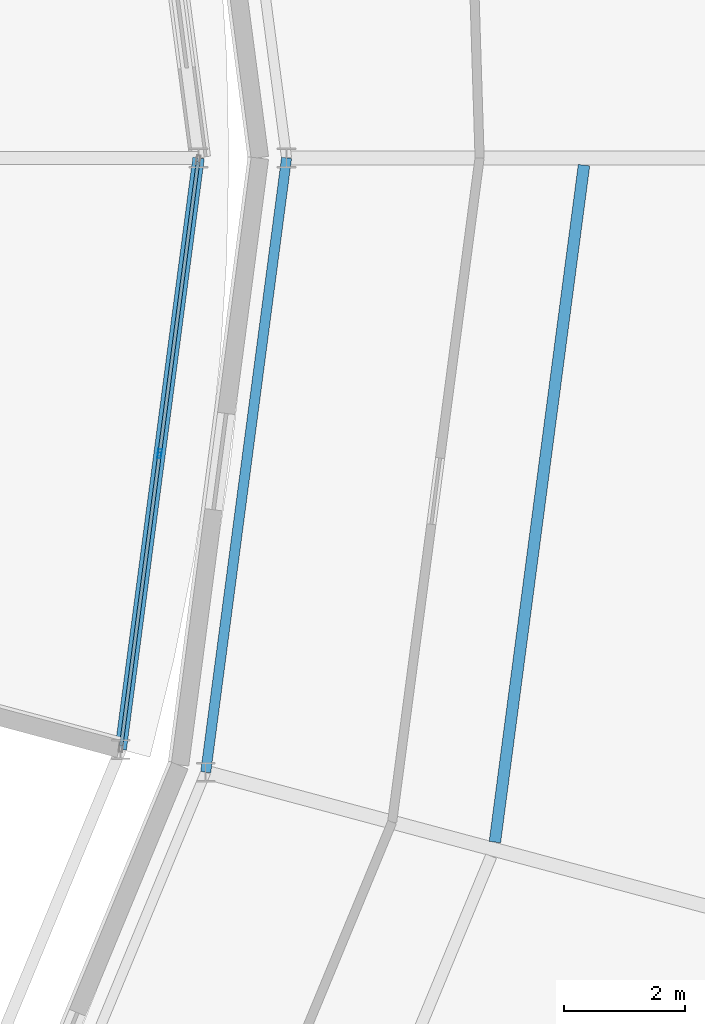
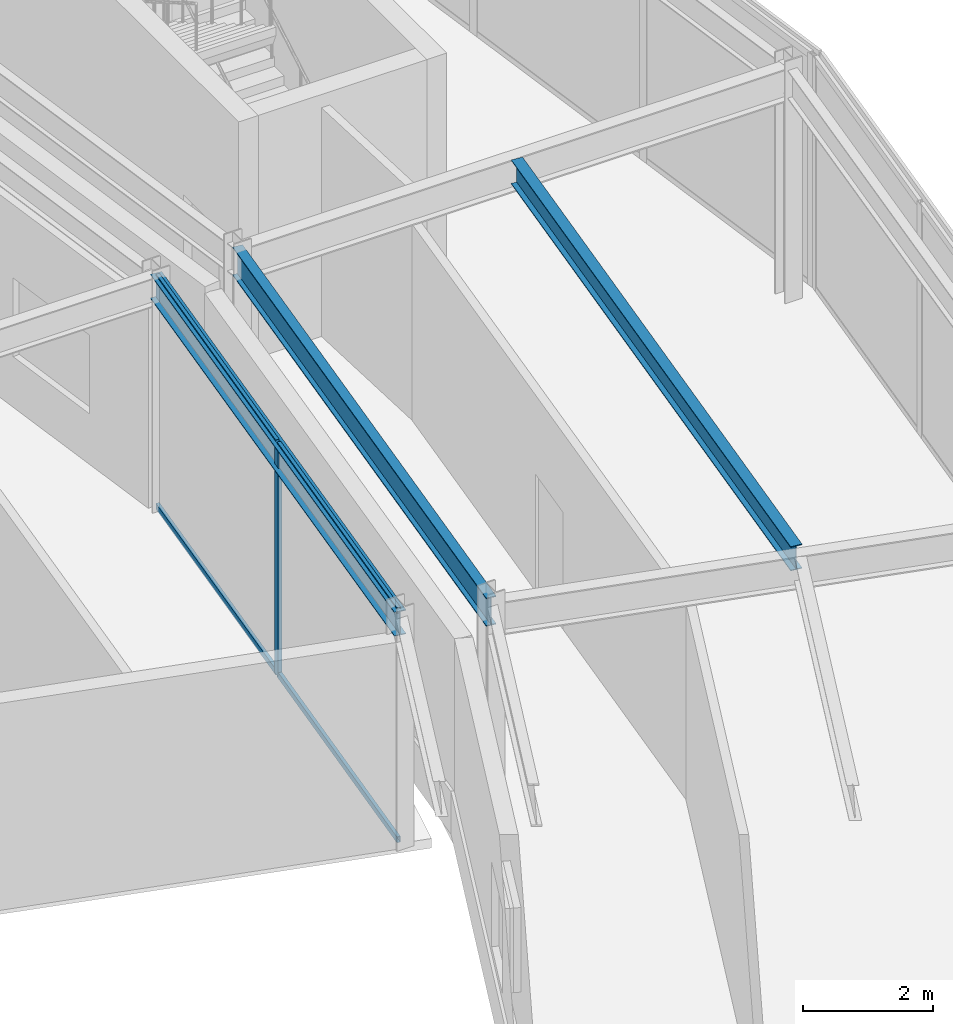
# One storey, part 40 of 133: 5 members, 3 beams, 1 element without a shape of its own.
"""IFC4 building model written with IfcOpenShell, lengths in metres."""

from ifc_helpers import new_model, si_unit, direction, frame, origin, origin_2d, place, context, subcontext, project, spatial, hollow_rectangle, i_section, extrude, material, material_profile, profile_set, type_object, element, aggregate, save


model = new_model("IFC4")

# Units and contexts
model_context = context("Model", 3, precision=1e-05, world=origin(), true_north=direction((0.0, 1.0)))
body_context = subcontext(model_context, "Body", "Model", "MODEL_VIEW")
ifc_project = project(units=[si_unit("LENGTHUNIT", "METRE"), si_unit("AREAUNIT", "SQUARE_METRE"), si_unit("VOLUMEUNIT", "CUBIC_METRE"), si_unit("PLANEANGLEUNIT", "RADIAN"), si_unit("MASSUNIT", "GRAM", prefix="KILO")], contexts=[model_context])

# Site, building, storey
site_placement = place(None, origin())
site = spatial("IfcSite", under=ifc_project, at=site_placement, CompositionType="ELEMENT")
building_placement = place(site_placement, origin())
building = spatial("IfcBuilding", under=site, at=building_placement, Name="Almandine Court Research Institute", CompositionType="ELEMENT")
storey_placement = place(building_placement, frame((0.0, 0.0, 9.800048828125)))
storey = spatial("IfcBuildingStorey", under=building, at=storey_placement, Name="L02", CompositionType="ELEMENT", Elevation=9.800048828125)

# Beams
ifc_material_1 = material(Name="Steel ASTM A992 Grade 50", Category="steel")
ifc_material_profile_1 = material_profile(ifc_material_1, i_section(OverallWidth=0.18994140625, OverallDepth=0.45703125, WebThickness=0.009033203125, FlangeThickness=0.014892578125, at=origin_2d()), Name="W460x74")
ifc_profile_set_1 = profile_set([ifc_material_profile_1], Name="Steel ASTM A992 Grade 50")
beam_type_1 = type_object("IfcBeamType", Name="Beam-B-01", PredefinedType="BEAM", material=ifc_profile_set_1)
beam_1_placement = place(storey_placement, frame((129.531982421875, 44.72802734375, 4.140869140625), z_axis=(0.130512904889, 0.991446610594, 0.0), x_axis=(-0.991446610594, 0.130512904889, 0.0)))
element("IfcBeam", 1, at=beam_1_placement, inside=storey, type_object=beam_type_1, Name="L02 Drum MID Ring Beam 23", PredefinedType="BEAM", context=body_context, shape_type="SweptSolid", body=[
    extrude(i_section(OverallWidth=0.18994140625, OverallDepth=0.45703125, WebThickness=0.009033203125, FlangeThickness=0.014892578125, at=origin_2d()), origin(), (0.0, 0.0, 1.0), 11.248046875),
])
beam_2_placement = place(storey_placement, frame((123.366943359375, 46.2548828125, 4.140869140625), z_axis=(0.130525188913, 0.991444993461, 0.0), x_axis=(-0.991444993461, 0.130525188913, 0.0)))
element("IfcBeam", 2, at=beam_2_placement, inside=storey, type_object=beam_type_1, Name="L02 Atrium Outer Ring Beam", PredefinedType="BEAM", context=body_context, shape_type="SweptSolid", body=[
    extrude(i_section(OverallWidth=0.18994140625, OverallDepth=0.45703125, WebThickness=0.009033203125, FlangeThickness=0.014892578125, at=origin_2d()), origin(), (0.0, 0.0, 1.0), 9.8291015625),
])
ifc_material_profile_2 = material_profile(ifc_material_1, i_section(OverallWidth=0.166015625, OverallDepth=0.534912109375, WebThickness=0.010009765625, FlangeThickness=0.01708984375, at=origin_2d()), Name="W530x85")
ifc_profile_set_2 = profile_set([ifc_material_profile_2], Name="Steel ASTM A992 Grade 50")
beam_type_2 = type_object("IfcBeamType", Name="Beam-G-05-E", PredefinedType="SPANDREL", material=ifc_profile_set_2)
beam_3_placement = place(storey_placement, frame((124.76806640625, 45.8798828125, 4.10205078125), z_axis=(0.130496584681, 0.991448758831, 0.0), x_axis=(-0.991448758831, 0.130496584681, 0.0)))
element("IfcBeam", 3, at=beam_3_placement, inside=storey, type_object=beam_type_2, Name="L02 Drum IN Ring Beam 23", PredefinedType="SPANDREL", context=body_context, shape_type="SweptSolid", body=[
    extrude(i_section(OverallWidth=0.166015625, OverallDepth=0.534912109375, WebThickness=0.010009765625, FlangeThickness=0.01708984375, at=origin_2d()), origin(), (0.0, 0.0, 1.0), 10.20751953125),
])

# Curtain wall, members
ifc_material_2 = material(Name="Unitised Curtain Wall Framing and Solar Glazing", Category="glass")
curtain_wall_type = type_object("IfcCurtainWallType", Name="CW-CWG-24", PredefinedType="USERDEFINED", material=ifc_material_2)
curtain_wall_placement = place(storey_placement, origin())
curtain_wall = element("IfcCurtainWall", 4, at=curtain_wall_placement, inside=storey, type_object=curtain_wall_type, Name="L02 Interaction Atrium Perimeter Curtain Wall 23", ObjectType="UNITISED GLAZING", PredefinedType="USERDEFINED")
ifc_material_3 = material(Name="Anodised Aluminium AW-6063-T6", Category="aluminium")
ifc_material_profile_3 = material_profile(ifc_material_3, hollow_rectangle(XDim=0.06005859375, YDim=0.14990234375, WallThickness=0.00390625, at=origin_2d()), Name="ALU RHS 60x150x4")
ifc_profile_set_3 = profile_set([ifc_material_profile_3], Name="Anodised Aluminium AW-6063-T6")
member_type_1 = type_object("IfcMemberType", Name="CWMul-60x150", PredefinedType="MULLION", material=ifc_profile_set_3)
member_1_placement = place(storey_placement, frame((124.009033203125, 51.12744140625, 0.0), z_axis=(0.0, 0.0, 1.0), x_axis=(0.991443548509, -0.130536164028, 0.0)))
member_1 = element("IfcMember", 5, at=member_1_placement, type_object=member_type_1, Name="CWG-24 mullion 2", PredefinedType="MULLION", context=body_context, shape_type="SweptSolid", body=[
    extrude(hollow_rectangle(XDim=0.06005859375, YDim=0.14990234375, WallThickness=0.00390625, at=origin_2d()), origin(), (0.0, 0.0, 1.0), 4.369873046875),
])
ifc_material_profile_4 = material_profile(ifc_material_3, hollow_rectangle(XDim=0.06005859375, YDim=0.110107421875, WallThickness=0.00390625, at=origin_2d()), Name="ALU RHS 60x110x4")
ifc_profile_set_4 = profile_set([ifc_material_profile_4], Name="Anodised Aluminium AW-6063-T6")
member_type_2 = type_object("IfcMemberType", Name="CWTrn-60x110", PredefinedType="NOTDEFINED", material=ifc_profile_set_4)
member_2_placement = place(storey_placement, frame((124.64208984375, 55.9365234375, 0.030029296875), z_axis=(-0.130514777294, -0.99144636411, 0.0), x_axis=(0.99144636411, -0.130514777294, 0.0)))
member_2 = element("IfcMember", 6, at=member_2_placement, type_object=member_type_2, Name="CWG-24 transom 1.1", ObjectType="TRANSOM", PredefinedType="USERDEFINED", context=body_context, shape_type="SweptSolid", body=[
    extrude(hollow_rectangle(XDim=0.06005859375, YDim=0.110107421875, WallThickness=0.00390625, at=origin_2d()), origin(), (0.0, 0.0, 1.0), 4.820556640625),
])
member_3_placement = place(storey_placement, frame((124.64208984375, 55.9365234375, 4.33984375), z_axis=(-0.130514777294, -0.99144636411, 0.0), x_axis=(0.99144636411, -0.130514777294, 0.0)))
member_3 = element("IfcMember", 7, at=member_3_placement, type_object=member_type_2, Name="CWG-24 transom 1.2", ObjectType="TRANSOM", PredefinedType="USERDEFINED", context=body_context, shape_type="SweptSolid", body=[
    extrude(hollow_rectangle(XDim=0.06005859375, YDim=0.110107421875, WallThickness=0.00390625, at=origin_2d()), origin(), (0.0, 0.0, 1.0), 4.820556640625),
])
member_4_placement = place(storey_placement, frame((124.005126953125, 51.09765625, 0.030029296875), z_axis=(-0.130571116357, -0.991438945963, 0.0), x_axis=(0.991438945963, -0.130571116357, 0.0)))
member_4 = element("IfcMember", 8, at=member_4_placement, type_object=member_type_2, Name="CWG-24 transom 2.1", ObjectType="TRANSOM", PredefinedType="USERDEFINED", context=body_context, shape_type="SweptSolid", body=[
    extrude(hollow_rectangle(XDim=0.06005859375, YDim=0.110107421875, WallThickness=0.00390625, at=origin_2d()), origin(), (0.0, 0.0, 1.0), 4.8203125),
])
member_5_placement = place(storey_placement, frame((124.005126953125, 51.09765625, 4.33984375), z_axis=(-0.130571116357, -0.991438945963, 0.0), x_axis=(0.991438945963, -0.130571116357, 0.0)))
member_5 = element("IfcMember", 9, at=member_5_placement, type_object=member_type_2, Name="CWG-24 transom 2.2", ObjectType="TRANSOM", PredefinedType="USERDEFINED", context=body_context, shape_type="SweptSolid", body=[
    extrude(hollow_rectangle(XDim=0.06005859375, YDim=0.110107421875, WallThickness=0.00390625, at=origin_2d()), origin(), (0.0, 0.0, 1.0), 4.8203125),
])
aggregate(curtain_wall, [member_1, member_2, member_3, member_4, member_5])

save(model, "model.ifc")
